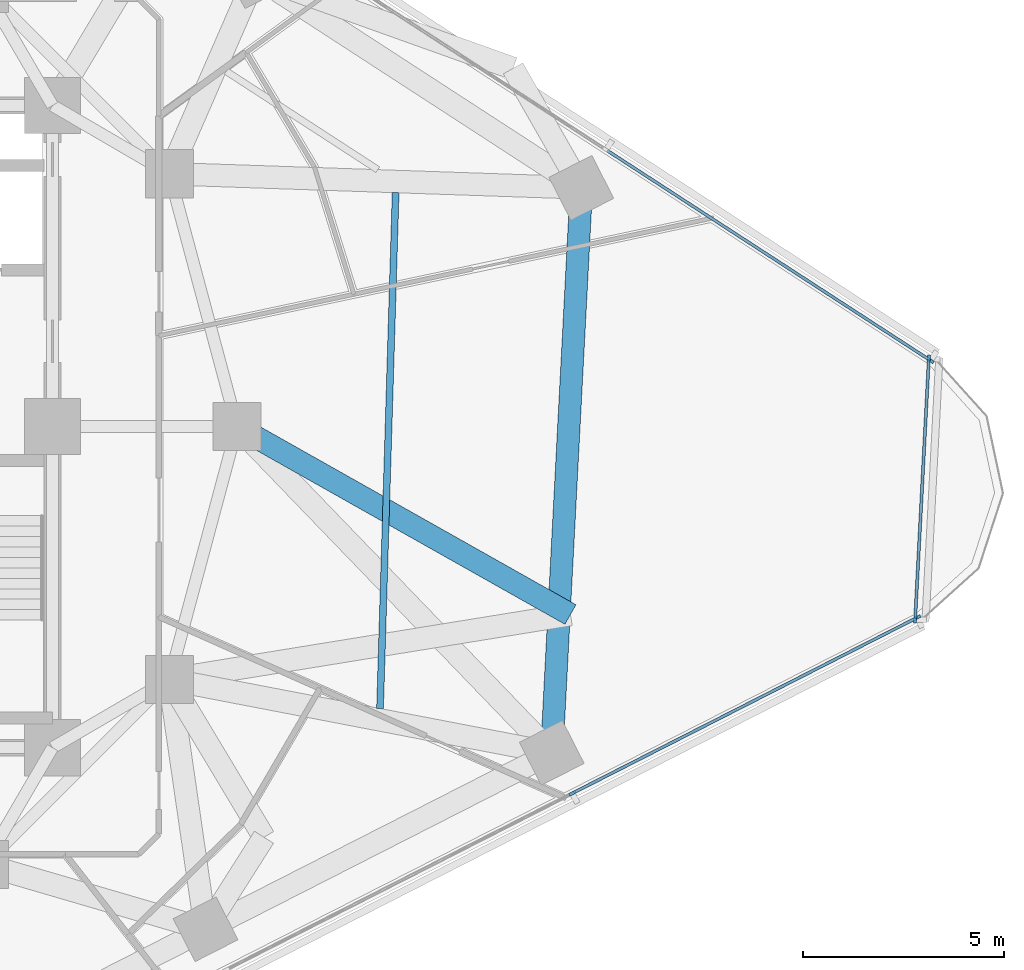
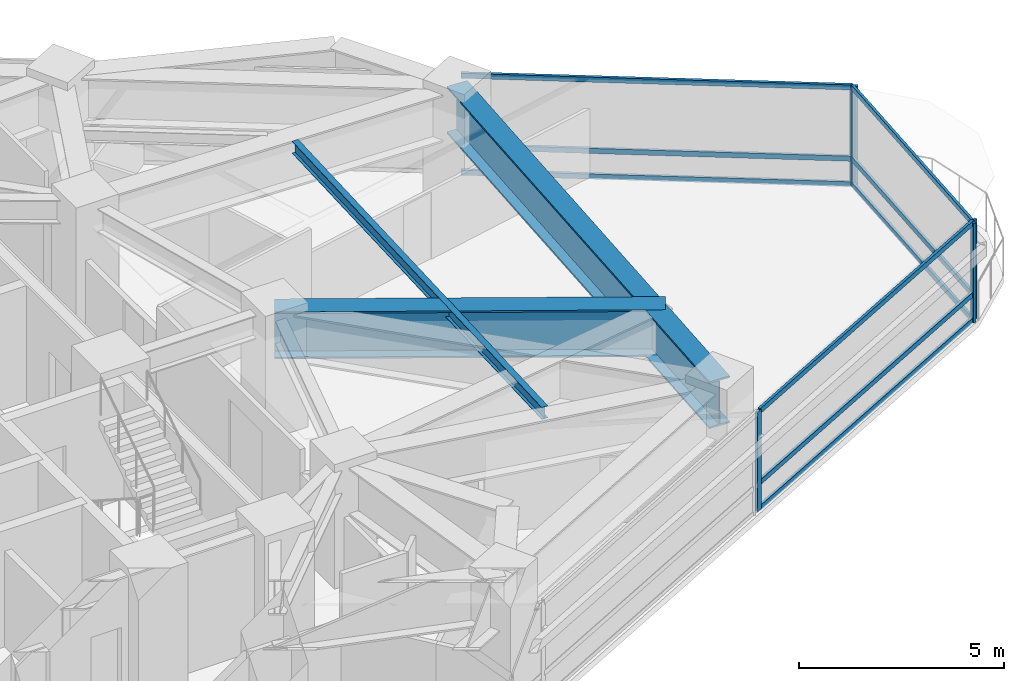
# One storey, part 4 of 15: 14 members, 3 beams, 3 elements without a shape of their own.
"""IFC4 building model written with IfcOpenShell, lengths in metres."""

from ifc_helpers import new_model, si_unit, direction, frame, origin, origin_2d, place, context, subcontext, project, spatial, rectangle, i_section, extrude, material, layer, layer_set, material_profile, profile_set, type_object, element, aggregate, save


model = new_model("IFC4")

# Units and contexts
model_context = context("Model", 3, precision=1e-05, world=origin(), true_north=direction((0.0, 1.0)))
body_context = subcontext(model_context, "Body", "Model", "MODEL_VIEW")
ifc_project = project(units=[si_unit("LENGTHUNIT", "METRE"), si_unit("AREAUNIT", "SQUARE_METRE"), si_unit("VOLUMEUNIT", "CUBIC_METRE"), si_unit("PLANEANGLEUNIT", "RADIAN"), si_unit("MASSUNIT", "GRAM", prefix="KILO")], contexts=[model_context])

# Site, building, storey
site_placement = place(None, origin())
site = spatial("IfcSite", under=ifc_project, at=site_placement, CompositionType="ELEMENT")
building_placement = place(site_placement, origin())
building = spatial("IfcBuilding", under=site, at=building_placement, Name="Terralouvre Media Tower", CompositionType="ELEMENT")
storey_placement = place(building_placement, frame((0.0, 0.0, 145.800048828125)))
storey = spatial("IfcBuildingStorey", under=building, at=storey_placement, Name="L37", CompositionType="ELEMENT", Elevation=145.800048828125)

# Beam
ifc_material_1 = material(Name="Structural steel S355J2", Category="steel")
ifc_material_profile_1 = material_profile(ifc_material_1, i_section(OverallWidth=0.169921875, OverallDepth=0.360107421875, WebThickness=0.008056640625, FlangeThickness=0.0126953125, at=origin_2d()), Name="IPE 360")
ifc_profile_set_1 = profile_set([ifc_material_profile_1], Name="Structural steel S355J2")
beam_type_1 = type_object("IfcBeamType", Name="Composite Floor Joist J-IPE360 (IPE 360)", PredefinedType="JOIST", material=ifc_profile_set_1)
beam_1_placement = place(storey_placement, frame((16.159912109375, -7.024658203125, 3.280029296875), z_axis=(0.030244292382, 0.999542536753, 0.0), x_axis=(-0.999542536753, 0.030244292382, 0.0)))
element("IfcBeam", 1, at=beam_1_placement, inside=storey, type_object=beam_type_1, Name="L37 Framing Beam JT-L37-06", PredefinedType="JOIST", context=body_context, shape_type="SweptSolid", body=[
    extrude(i_section(OverallWidth=0.169921875, OverallDepth=0.360107421875, WebThickness=0.008056640625, FlangeThickness=0.0126953125, at=origin_2d()), origin(), (0.0, 0.0, 1.0), 12.859130859375),
])

# Curtain wall, members
ifc_material_2 = material(Name="Low-iron laminated double glazing with solar-control coating", Category="glass")
ifc_layer_1 = layer(ifc_material_2, 0.1650390625, Name="Production Studio Tower Curtain Wall CW-03")
ifc_layer_set_1 = layer_set([ifc_layer_1], Name="Low-iron laminated double glazing with solar-control coating")
curtain_wall_type_1 = type_object("IfcCurtainWallType", Name="Production Studio Tower Curtain Wall CW-03", PredefinedType="NOTDEFINED", material=ifc_layer_set_1)
curtain_wall_1_placement = place(storey_placement, origin())
curtain_wall_1 = element("IfcCurtainWall", 2, at=curtain_wall_1_placement, inside=storey, type_object=curtain_wall_type_1, Name="L37 Facade Curtain Wall F0", PredefinedType="NOTDEFINED")
ifc_material_3 = material(Name="Anodised extruded aluminium 6063-T6", Category="aluminium")
ifc_material_profile_2 = material_profile(ifc_material_3, rectangle(XDim=0.074951171875, YDim=0.14990234375, at=origin_2d()), Name="ALU 75x150")
ifc_profile_set_2 = profile_set([ifc_material_profile_2], Name="Anodised extruded aluminium 6063-T6")
member_type_1 = type_object("IfcMemberType", Name="Curtain-Wall Horizontal Transom TR-150", PredefinedType="USERDEFINED", material=ifc_profile_set_2)
member_1_placement = place(storey_placement, frame((20.984619140625, -9.118896484375, 0.037353515625), z_axis=(0.891007557644, 0.453988471462, 0.0), x_axis=(-0.453988471462, 0.891007557644, 0.0)))
member_1 = element("IfcMember", 3, at=member_1_placement, type_object=member_type_1, Name="CW-03 transom 5.1", ObjectType="TRANSOM", PredefinedType="USERDEFINED", context=body_context, shape_type="SweptSolid", body=[
    extrude(rectangle(XDim=0.074951171875, YDim=0.14990234375, at=origin_2d()), origin(), (0.0, 0.0, 1.0), 9.5673828125),
])
member_2_placement = place(storey_placement, frame((20.984619140625, -9.118896484375, 0.800048828125), z_axis=(0.891007557644, 0.453988471462, 0.0), x_axis=(-0.453988471462, 0.891007557644, 0.0)))
member_2 = element("IfcMember", 4, at=member_2_placement, type_object=member_type_1, Name="CW-03 transom 5.2", ObjectType="TRANSOM", PredefinedType="USERDEFINED", context=body_context, shape_type="SweptSolid", body=[
    extrude(rectangle(XDim=0.074951171875, YDim=0.14990234375, at=origin_2d()), origin(), (0.0, 0.0, 1.0), 9.5673828125),
])
member_3_placement = place(storey_placement, frame((20.984619140625, -9.118896484375, 2.92236328125), z_axis=(0.891007557644, 0.453988471462, 0.0), x_axis=(-0.453988471462, 0.891007557644, 0.0)))
member_3 = element("IfcMember", 5, at=member_3_placement, type_object=member_type_1, Name="CW-03 transom 5.3", ObjectType="TRANSOM", PredefinedType="USERDEFINED", context=body_context, shape_type="SweptSolid", body=[
    extrude(rectangle(XDim=0.074951171875, YDim=0.14990234375, at=origin_2d()), origin(), (0.0, 0.0, 1.0), 9.5673828125),
])

curtain_wall_2_placement = place(storey_placement, origin())
curtain_wall_2 = element("IfcCurtainWall", 6, at=curtain_wall_2_placement, inside=storey, type_object=curtain_wall_type_1, Name="L37 Facade Curtain Wall F1", PredefinedType="NOTDEFINED")
member_4_placement = place(storey_placement, frame((29.846923828125, 1.664794921875, 0.037353515625), z_axis=(-0.838683148474, 0.544619662211, 0.0), x_axis=(-0.544619662211, -0.838683148474, 0.0)))
member_4 = element("IfcMember", 7, at=member_4_placement, type_object=member_type_1, Name="CW-03 transom 1.1", ObjectType="TRANSOM", PredefinedType="USERDEFINED", context=body_context, shape_type="SweptSolid", body=[
    extrude(rectangle(XDim=0.074951171875, YDim=0.14990234375, at=origin_2d()), origin(), (0.0, 0.0, 1.0), 9.567626953125),
])
member_5_placement = place(storey_placement, frame((29.846923828125, 1.664794921875, 0.800048828125), z_axis=(-0.838683148474, 0.544619662211, 0.0), x_axis=(-0.544619662211, -0.838683148474, 0.0)))
member_5 = element("IfcMember", 8, at=member_5_placement, type_object=member_type_1, Name="CW-03 transom 1.2", ObjectType="TRANSOM", PredefinedType="USERDEFINED", context=body_context, shape_type="SweptSolid", body=[
    extrude(rectangle(XDim=0.074951171875, YDim=0.14990234375, at=origin_2d()), origin(), (0.0, 0.0, 1.0), 9.567626953125),
])
member_6_placement = place(storey_placement, frame((29.846923828125, 1.664794921875, 2.92236328125), z_axis=(-0.838683148474, 0.544619662211, 0.0), x_axis=(-0.544619662211, -0.838683148474, 0.0)))
member_6 = element("IfcMember", 9, at=member_6_placement, type_object=member_type_1, Name="CW-03 transom 1.3", ObjectType="TRANSOM", PredefinedType="USERDEFINED", context=body_context, shape_type="SweptSolid", body=[
    extrude(rectangle(XDim=0.074951171875, YDim=0.14990234375, at=origin_2d()), origin(), (0.0, 0.0, 1.0), 9.567626953125),
])

ifc_material_4 = material(Name="Low-iron laminated double glazing with solar-control coating", Category="glass")
ifc_layer_2 = layer(ifc_material_4, 0.1650390625, Name="Rounded Wind-Corner Curved Glazing CW-04")
ifc_layer_set_2 = layer_set([ifc_layer_2], Name="Low-iron laminated double glazing with solar-control coating")
curtain_wall_type_2 = type_object("IfcCurtainWallType", Name="Rounded Wind-Corner Curved Glazing CW-04", PredefinedType="NOTDEFINED", material=ifc_layer_set_2)
curtain_wall_3_placement = place(storey_placement, origin())
curtain_wall_3 = element("IfcCurtainWall", 10, at=curtain_wall_3_placement, inside=storey, type_object=curtain_wall_type_2, Name="L37 Rounded Wind-Corner Curtain Wall C1", PredefinedType="NOTDEFINED")
member_7_placement = place(storey_placement, frame((29.49462890625, -4.76611328125, 0.037353515625), z_axis=(0.052343668365, 0.998629130549, 0.0), x_axis=(-0.998629130549, 0.052343668365, 0.0)))
member_7 = element("IfcMember", 11, at=member_7_placement, type_object=member_type_1, Name="CW-04 transom 1.1", ObjectType="TRANSOM", PredefinedType="USERDEFINED", context=body_context, shape_type="SweptSolid", body=[
    extrude(rectangle(XDim=0.074951171875, YDim=0.14990234375, at=origin_2d()), origin(), (0.0, 0.0, 1.0), 6.431884765625),
])
member_8_placement = place(storey_placement, frame((29.49462890625, -4.76611328125, 0.800048828125), z_axis=(0.052343668365, 0.998629130549, 0.0), x_axis=(-0.998629130549, 0.052343668365, 0.0)))
member_8 = element("IfcMember", 12, at=member_8_placement, type_object=member_type_1, Name="CW-04 transom 1.2", ObjectType="TRANSOM", PredefinedType="USERDEFINED", context=body_context, shape_type="SweptSolid", body=[
    extrude(rectangle(XDim=0.074951171875, YDim=0.14990234375, at=origin_2d()), origin(), (0.0, 0.0, 1.0), 6.431884765625),
])
member_9_placement = place(storey_placement, frame((29.49462890625, -4.76611328125, 2.92236328125), z_axis=(0.052343668365, 0.998629130549, 0.0), x_axis=(-0.998629130549, 0.052343668365, 0.0)))
member_9 = element("IfcMember", 13, at=member_9_placement, type_object=member_type_1, Name="CW-04 transom 1.3", ObjectType="TRANSOM", PredefinedType="USERDEFINED", context=body_context, shape_type="SweptSolid", body=[
    extrude(rectangle(XDim=0.074951171875, YDim=0.14990234375, at=origin_2d()), origin(), (0.0, 0.0, 1.0), 6.431884765625),
])

# Member
ifc_material_5 = material(Name="Anodised extruded aluminium 6063-T6", Category="aluminium")
ifc_material_profile_3 = material_profile(ifc_material_5, rectangle(XDim=0.074951171875, YDim=0.179931640625, at=origin_2d()), Name="ALU 75x180")
ifc_profile_set_3 = profile_set([ifc_material_profile_3], Name="Anodised extruded aluminium 6063-T6")
member_type_2 = type_object("IfcMemberType", Name="Curtain-Wall Vertical Mullion ML-180", PredefinedType="MULLION", material=ifc_profile_set_3)
member_10_placement = place(storey_placement, frame((20.951171875, -9.135986328125, 0.0), z_axis=(0.0, 0.0, 1.0), x_axis=(-0.4539905449, 0.891006501178, 0.0)))
member_10 = element("IfcMember", 14, at=member_10_placement, type_object=member_type_2, Name="CW-03 mullion 5", PredefinedType="MULLION", context=body_context, shape_type="SweptSolid", body=[
    extrude(rectangle(XDim=0.074951171875, YDim=0.179931640625, at=origin_2d()), origin(), (0.0, 0.0, 1.0), 2.9599609375),
])

member_11_placement = place(storey_placement, frame((29.542724609375, -4.75830078125, 0.0), z_axis=(0.0, 0.0, 1.0), x_axis=(-0.4539905449, 0.891006501178, 0.0)))
member_11 = element("IfcMember", 15, at=member_11_placement, type_object=member_type_2, Name="CW-03 mullion 6", PredefinedType="MULLION", context=body_context, shape_type="SweptSolid", body=[
    extrude(rectangle(XDim=0.074951171875, YDim=0.179931640625, at=origin_2d()), origin(), (0.0, 0.0, 1.0), 2.9599609375),
])

aggregate(curtain_wall_1, [member_10, member_11, member_1, member_2, member_3])

member_12_placement = place(storey_placement, frame((29.878173828125, 1.644287109375, 0.0), z_axis=(0.0, 0.0, 1.0), x_axis=(-0.544639002681, -0.838670588944, 0.0)))
member_12 = element("IfcMember", 16, at=member_12_placement, type_object=member_type_2, Name="CW-03 mullion 1", PredefinedType="MULLION", context=body_context, shape_type="SweptSolid", body=[
    extrude(rectangle(XDim=0.074951171875, YDim=0.179931640625, at=origin_2d()), origin(), (0.0, 0.0, 1.0), 2.9599609375),
])

aggregate(curtain_wall_2, [member_12, member_4, member_5, member_6])

member_13_placement = place(storey_placement, frame((29.49267578125, -4.803466796875, 0.0), z_axis=(0.0, 0.0, 1.0), x_axis=(-0.998629489329, 0.052336823006, 0.0)))
member_13 = element("IfcMember", 17, at=member_13_placement, type_object=member_type_2, Name="CW-04 mullion 1", PredefinedType="MULLION", context=body_context, shape_type="SweptSolid", body=[
    extrude(rectangle(XDim=0.074951171875, YDim=0.179931640625, at=origin_2d()), origin(), (0.0, 0.0, 1.0), 2.9599609375),
])

member_14_placement = place(storey_placement, frame((29.833251953125, 1.6943359375, 0.0), z_axis=(0.0, 0.0, 1.0), x_axis=(-0.998629489329, 0.052336823006, 0.0)))
member_14 = element("IfcMember", 18, at=member_14_placement, type_object=member_type_2, Name="CW-04 mullion 2", PredefinedType="MULLION", context=body_context, shape_type="SweptSolid", body=[
    extrude(rectangle(XDim=0.074951171875, YDim=0.179931640625, at=origin_2d()), origin(), (0.0, 0.0, 1.0), 2.9599609375),
])

aggregate(curtain_wall_3, [member_13, member_14, member_7, member_8, member_9])

# Beams
ifc_material_6 = material(Name="Structural steel S460M", Category="steel")
ifc_material_profile_4 = material_profile(ifc_material_6, i_section(OverallWidth=0.56005859375, OverallDepth=1.39990234375, WebThickness=0.031982421875, FlangeThickness=0.050048828125, at=origin_2d()), Name="TG 1400x560")
ifc_profile_set_4 = profile_set([ifc_material_profile_4], Name="Structural steel S460M")
beam_type_2 = type_object("IfcBeamType", Name="Welded Transfer Girder TG-1400 (TG 1400x560)", PredefinedType="USERDEFINED", material=ifc_profile_set_4)
beam_2_placement = place(storey_placement, frame((20.438232421875, -8.129150390625, 2.760009765625), z_axis=(0.052337943139, 0.998629430624, 0.0), x_axis=(-0.998629430624, 0.052337943139, 0.0)))
element("IfcBeam", 19, at=beam_2_placement, inside=storey, type_object=beam_type_2, Name="L37 Framing Beam BM-L37-PR06", ObjectType="TRANSFER GIRDER", PredefinedType="USERDEFINED", context=body_context, shape_type="SweptSolid", body=[
    extrude(i_section(OverallWidth=0.56005859375, OverallDepth=1.39990234375, WebThickness=0.031982421875, FlangeThickness=0.050048828125, at=origin_2d()), origin(), (0.0, 0.0, 1.0), 14.0966796875),
])
beam_3_placement = place(storey_placement, frame((20.904541015625, -4.682373046875, 2.760009765625), z_axis=(-0.871076516642, 0.491147332432, 0.0), x_axis=(-0.491147332432, -0.871076516642, 0.0)))
element("IfcBeam", 20, at=beam_3_placement, inside=storey, type_object=beam_type_2, Name="L37 Framing Beam BM-L37-TR04S1", ObjectType="TRANSFER GIRDER", PredefinedType="USERDEFINED", context=body_context, shape_type="SweptSolid", body=[
    extrude(i_section(OverallWidth=0.56005859375, OverallDepth=1.39990234375, WebThickness=0.031982421875, FlangeThickness=0.050048828125, at=origin_2d()), origin(), (0.0, 0.0, 1.0), 9.533447265625),
])

save(model, "model.ifc")
